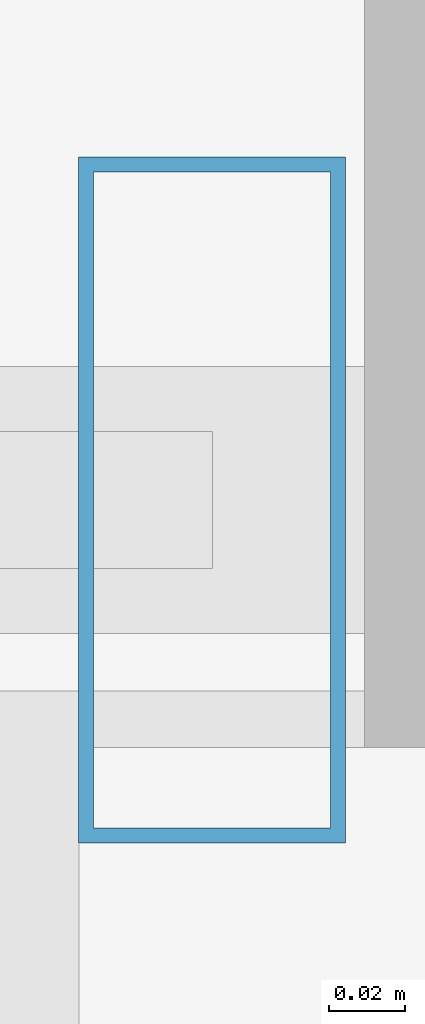
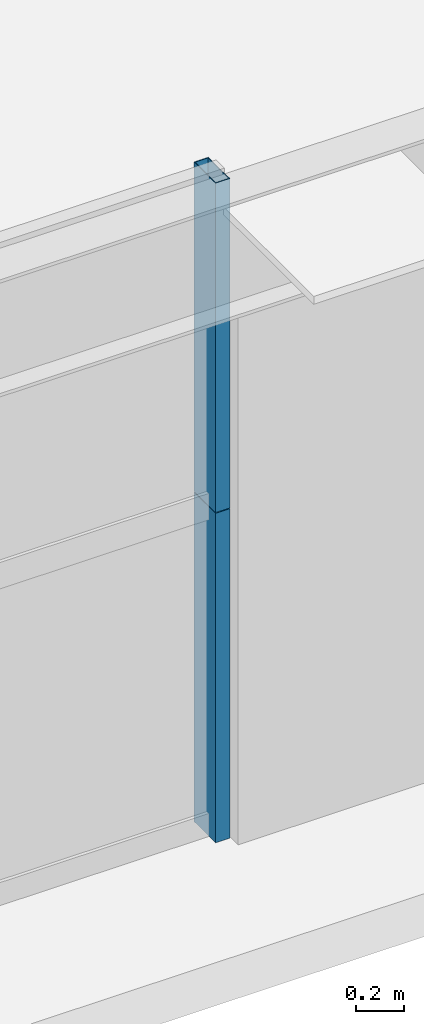
# One storey, part 16 of 45: 2 members, 1 element without a shape of its own.
"""IFC4 building model written with IfcOpenShell, lengths in metres."""

from ifc_helpers import new_model, si_unit, direction, frame, origin, origin_2d, place, context, subcontext, project, spatial, hollow_rectangle, extrude, source, transform, mapped, material, layer, layer_set, material_profile, profile_set, type_object, element, aggregate, save


model = new_model("IFC4")

# Units and contexts
model_context = context("Model", 3, precision=1e-05, world=origin(), true_north=direction((0.0, 1.0)))
body_context = subcontext(model_context, "Body", "Model", "MODEL_VIEW")
ifc_project = project(units=[si_unit("LENGTHUNIT", "METRE"), si_unit("AREAUNIT", "SQUARE_METRE"), si_unit("VOLUMEUNIT", "CUBIC_METRE"), si_unit("PLANEANGLEUNIT", "RADIAN"), si_unit("MASSUNIT", "GRAM", prefix="KILO"), si_unit("THERMODYNAMICTEMPERATUREUNIT", "KELVIN"), si_unit("POWERUNIT", "WATT")], contexts=[model_context])

# Site, building, storey
site_placement = place(None, origin())
site = spatial("IfcSite", under=ifc_project, at=site_placement, CompositionType="ELEMENT")
building_placement = place(site_placement, origin())
building = spatial("IfcBuilding", under=site, at=building_placement, Name="Yuzanri Waterfront Tower", CompositionType="ELEMENT")
storey_placement = place(building_placement, frame((0.0, 0.0, 49.60009765625)))
storey = spatial("IfcBuildingStorey", under=building, at=storey_placement, Name="L12", CompositionType="ELEMENT", Elevation=49.60009765625)

# Curtain wall, members
ifc_material_1 = material(Name="Anodized Architectural Bronze", Category="metal")
ifc_layer = layer(ifc_material_1, 0.159912109375)
ifc_layer_set = layer_set([ifc_layer], Name="Anodized Architectural Bronze")
curtain_wall_type = type_object("IfcCurtainWallType", Name="Anodized Bronze Hotel Lower-Tier Recessed Unitized Curtain Wall 8100", PredefinedType="NOTDEFINED", material=ifc_layer_set)
curtain_wall_placement = place(storey_placement, origin())
curtain_wall = element("IfcCurtainWall", 1, at=curtain_wall_placement, inside=storey, type_object=curtain_wall_type, Name="L12 Curtain Wall CW-L12-SR", PredefinedType="NOTDEFINED")
ifc_material_2 = material(Name="Anodized Architectural Bronze", Category="metal")
ifc_material_profile = material_profile(ifc_material_2, hollow_rectangle(XDim=0.070068359375, YDim=0.179931640625, WallThickness=0.00390625, at=origin_2d()), Name="CWM 70x180")
ifc_profile_set = profile_set([ifc_material_profile], Name="Anodized Architectural Bronze")
member_type = type_object("IfcMemberType", Name="Anodized Bronze Standard Curtain-Wall Mullion 70x180", PredefinedType="MULLION", material=ifc_profile_set)
shared_shape = source(origin(), body_context, "Body", "SweptSolid", [
    extrude(hollow_rectangle(XDim=0.070068359375, YDim=0.179931640625, WallThickness=0.00390625, at=origin_2d()), origin(), (0.0, 0.0, 1.0), 1.68798828125),
])
member_1_placement = place(storey_placement, frame((54.7099609375, 0.85009765625, 0.0), z_axis=(0.0, 0.0, 1.0), x_axis=(1.0, 0.0, 0.0)))
member_1 = element("IfcMember", 2, at=member_1_placement, type_object=member_type, Name="CW-L12-SR Lower Mullion 02", PredefinedType="MULLION", context=body_context, shape_type="MappedRepresentation", body=[
    mapped(shared_shape, transform((0.0, 0.0, 0.0), scale=1.0)),
])
member_2_placement = place(storey_placement, frame((54.7099609375, 0.85009765625, 1.69189453125), z_axis=(0.0, 0.0, 1.0), x_axis=(1.0, 0.0, 0.0)))
member_2 = element("IfcMember", 3, at=member_2_placement, type_object=member_type, Name="CW-L12-SR Upper Mullion 02", PredefinedType="MULLION", context=body_context, shape_type="MappedRepresentation", body=[
    mapped(shared_shape, transform((0.0, 0.0, 0.0), scale=1.0)),
])
aggregate(curtain_wall, [member_1, member_2])

save(model, "model.ifc")
